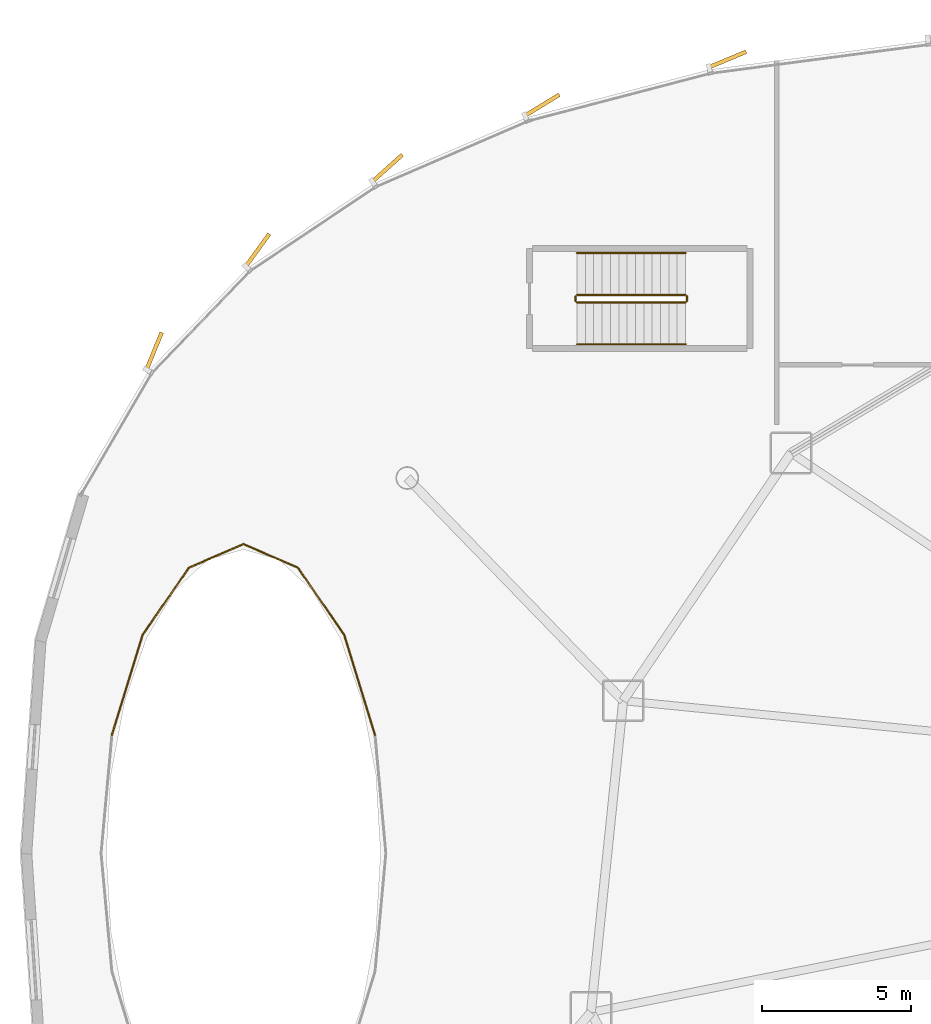
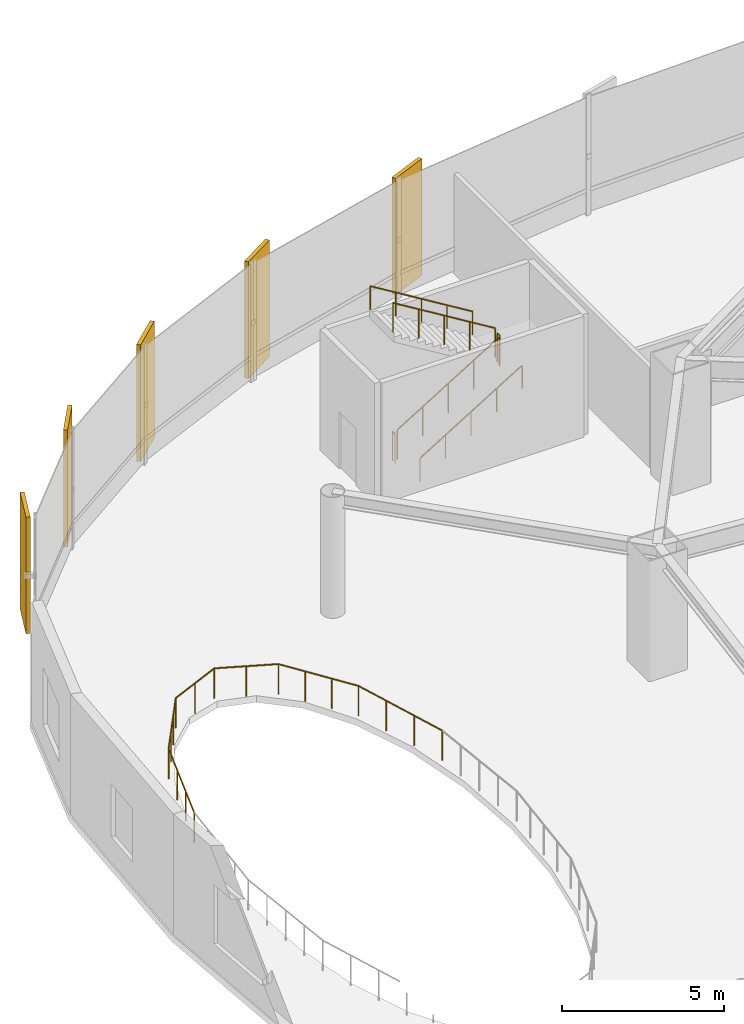
# One storey, part 32 of 34: 12 railings, 5 coverings.
"""IFC4 building model written with IfcOpenShell, lengths in metres."""

from ifc_helpers import new_model, si_unit, direction, frame, origin, origin_2d, place, context, subcontext, project, spatial, rectangle, circle, extrude, source, transform, mapped, material, layer, layer_set, type_object, element, save


model = new_model("IFC4")

# Units and contexts
model_context = context("Model", 3, precision=1e-05, world=origin(), true_north=direction((0.0, 1.0)))
body_context = subcontext(model_context, "Body", "Model", "MODEL_VIEW")
ifc_project = project(units=[si_unit("LENGTHUNIT", "METRE"), si_unit("AREAUNIT", "SQUARE_METRE"), si_unit("VOLUMEUNIT", "CUBIC_METRE"), si_unit("PLANEANGLEUNIT", "RADIAN"), si_unit("MASSUNIT", "GRAM", prefix="KILO"), si_unit("THERMODYNAMICTEMPERATUREUNIT", "KELVIN")], contexts=[model_context])

# Site, building, storey
site_placement = place(None, origin())
site = spatial("IfcSite", under=ifc_project, at=site_placement, CompositionType="ELEMENT")
building_placement = place(site_placement, origin())
building = spatial("IfcBuilding", under=site, at=building_placement, Name="Kethvar Cultural Tower", CompositionType="ELEMENT")
storey_placement = place(building_placement, frame((0.0, 0.0, 5.199951171875)))
storey = spatial("IfcBuildingStorey", under=building, at=storey_placement, Name="L01", CompositionType="ELEMENT", Elevation=5.199951171875)

# Railings
ifc_material_1 = material(Name="Steel S355J2", Category="steel")
railing_type_1 = type_object("IfcRailingType", Name="RL-INT-ATRIUM-1150", PredefinedType="BALUSTRADE", material=ifc_material_1)
railing_1_placement = place(storey_placement, frame((12.716064453125, 31.772216796875, 0.0)))
element("IfcRailing", 1, at=railing_1_placement, inside=storey, type_object=railing_type_1, Name="L01 Atrium Void Balustrade 02", PredefinedType="BALUSTRADE", context=body_context, shape_type="SweptSolid", body=[
    extrude(circle(Radius=0.02392578125, at=origin_2d()), frame((0.0, 0.0, 1.1259765625), z_axis=(-0.294066372694, 0.955785001164, 0.0), x_axis=(-0.955785001164, -0.294066372694, 0.0)), (0.0, 0.0, 1.0), 3.5234375),
    extrude(circle(Radius=0.02099609375, at=origin_2d()), origin(), (0.0, 0.0, 1.0), 1.101806640625),
    extrude(circle(Radius=0.02099609375, at=origin_2d()), frame((-0.345458984375, 1.12255859375, 0.0)), (0.0, 0.0, 1.0), 1.101806640625),
    extrude(circle(Radius=0.02099609375, at=origin_2d()), frame((-0.690673828125, 2.2451171875, 0.0)), (0.0, 0.0, 1.0), 1.101806640625),
    extrude(circle(Radius=0.02099609375, at=origin_2d()), frame((-1.0361328125, 3.36767578125, 0.0)), (0.0, 0.0, 1.0), 1.101806640625),
])
railing_2_placement = place(storey_placement, frame((11.679931640625, 35.139892578125, 0.0)))
element("IfcRailing", 2, at=railing_2_placement, inside=storey, type_object=railing_type_1, Name="L01 Atrium Void Balustrade 03", PredefinedType="BALUSTRADE", context=body_context, shape_type="SweptSolid", body=[
    extrude(circle(Radius=0.02392578125, at=origin_2d()), frame((0.0, 0.0, 1.1259765625), z_axis=(-0.567499103601, 0.823374014293, 0.0), x_axis=(-0.823374014293, -0.567499103601, 0.0)), (0.0, 0.0, 1.0), 2.732666015625),
    extrude(circle(Radius=0.02099609375, at=origin_2d()), origin(), (0.0, 0.0, 1.0), 1.101806640625),
    extrude(circle(Radius=0.02099609375, at=origin_2d()), frame((-0.516845703125, 0.75, 0.0)), (0.0, 0.0, 1.0), 1.101806640625),
    extrude(circle(Radius=0.02099609375, at=origin_2d()), frame((-1.033935546875, 1.5, 0.0)), (0.0, 0.0, 1.0), 1.101806640625),
    extrude(circle(Radius=0.02099609375, at=origin_2d()), frame((-1.55078125, 2.25, 0.0)), (0.0, 0.0, 1.0), 1.101806640625),
])
railing_3_placement = place(storey_placement, frame((10.129150390625, 37.389892578125, 0.0)))
element("IfcRailing", 3, at=railing_3_placement, inside=storey, type_object=railing_type_1, Name="L01 Atrium Void Balustrade 04", PredefinedType="BALUSTRADE", context=body_context, shape_type="SweptSolid", body=[
    extrude(circle(Radius=0.02392578125, at=origin_2d()), frame((0.0, 0.0, 1.1259765625), z_axis=(-0.918025861463, 0.396520513574, 0.0), x_axis=(-0.396520513574, -0.918025861463, 0.0)), (0.0, 0.0, 1.0), 1.992431640625),
    extrude(circle(Radius=0.02099609375, at=origin_2d()), origin(), (0.0, 0.0, 1.0), 1.101806640625),
    extrude(circle(Radius=0.02099609375, at=origin_2d()), frame((-0.91455078125, 0.39501953125, 0.0)), (0.0, 0.0, 1.0), 1.101806640625),
    extrude(circle(Radius=0.02099609375, at=origin_2d()), frame((-1.8291015625, 0.7900390625, 0.0)), (0.0, 0.0, 1.0), 1.101806640625),
])
railing_4_placement = place(storey_placement, frame((8.300048828125, 38.179931640625, 0.0)))
element("IfcRailing", 4, at=railing_4_placement, inside=storey, type_object=railing_type_1, Name="L01 Atrium Void Balustrade 05", PredefinedType="BALUSTRADE", context=body_context, shape_type="SweptSolid", body=[
    extrude(circle(Radius=0.02392578125, at=origin_2d()), frame((0.0, 0.0, 1.1259765625), z_axis=(-0.918045124076, -0.396475913721, 0.0), x_axis=(0.396475913721, -0.918045124076, 0.0)), (0.0, 0.0, 1.0), 1.99267578125),
    extrude(circle(Radius=0.02099609375, at=origin_2d()), origin(), (0.0, 0.0, 1.0), 1.101806640625),
    extrude(circle(Radius=0.02099609375, at=origin_2d()), frame((-0.91455078125, -0.39501953125, 0.0)), (0.0, 0.0, 1.0), 1.101806640625),
    extrude(circle(Radius=0.02099609375, at=origin_2d()), frame((-1.829345703125, -0.7900390625, 0.0)), (0.0, 0.0, 1.0), 1.101806640625),
])
railing_5_placement = place(storey_placement, frame((6.470703125, 37.389892578125, 0.0)))
element("IfcRailing", 5, at=railing_5_placement, inside=storey, type_object=railing_type_1, Name="L01 Atrium Void Balustrade 06", PredefinedType="BALUSTRADE", context=body_context, shape_type="SweptSolid", body=[
    extrude(circle(Radius=0.02392578125, at=origin_2d()), frame((0.0, 0.0, 1.1259765625), z_axis=(-0.567499103601, -0.823374014293, 0.0), x_axis=(0.823374014293, -0.567499103601, 0.0)), (0.0, 0.0, 1.0), 2.732666015625),
    extrude(circle(Radius=0.02099609375, at=origin_2d()), origin(), (0.0, 0.0, 1.0), 1.101806640625),
    extrude(circle(Radius=0.02099609375, at=origin_2d()), frame((-0.516845703125, -0.75, 0.0)), (0.0, 0.0, 1.0), 1.101806640625),
    extrude(circle(Radius=0.02099609375, at=origin_2d()), frame((-1.033935546875, -1.5, 0.0)), (0.0, 0.0, 1.0), 1.101806640625),
    extrude(circle(Radius=0.02099609375, at=origin_2d()), frame((-1.55078125, -2.25, 0.0)), (0.0, 0.0, 1.0), 1.101806640625),
])
railing_6_placement = place(storey_placement, frame((4.919921875, 35.139892578125, 0.0)))
element("IfcRailing", 6, at=railing_6_placement, inside=storey, type_object=railing_type_1, Name="L01 Atrium Void Balustrade 07", PredefinedType="BALUSTRADE", context=body_context, shape_type="SweptSolid", body=[
    extrude(circle(Radius=0.02392578125, at=origin_2d()), frame((0.0, 0.0, 1.1259765625), z_axis=(-0.294066372694, -0.955785001164, 0.0), x_axis=(0.955785001164, -0.294066372694, 0.0)), (0.0, 0.0, 1.0), 3.5234375),
    extrude(circle(Radius=0.02099609375, at=origin_2d()), origin(), (0.0, 0.0, 1.0), 1.101806640625),
    extrude(circle(Radius=0.02099609375, at=origin_2d()), frame((-0.345458984375, -1.12255859375, 0.0)), (0.0, 0.0, 1.0), 1.101806640625),
    extrude(circle(Radius=0.02099609375, at=origin_2d()), frame((-0.690673828125, -2.2451171875, 0.0)), (0.0, 0.0, 1.0), 1.101806640625),
    extrude(circle(Radius=0.02099609375, at=origin_2d()), frame((-1.0361328125, -3.36767578125, 0.0)), (0.0, 0.0, 1.0), 1.101806640625),
])
railing_type_2 = type_object("IfcRailingType", Name="RL-STAIR-GUARD", PredefinedType="BALUSTRADE", material=ifc_material_1)
railing_7_placement = place(storey_placement, frame((19.5, 46.2900390625, 0.17138671875)))
element("IfcRailing", 7, at=railing_7_placement, inside=storey, type_object=railing_type_2, Name="L01 ST-05 stair guard 1", PredefinedType="BALUSTRADE", context=body_context, shape_type="SweptSolid", body=[
    extrude(circle(Radius=0.02392578125, at=origin_2d()), frame((0.0, 0.0, 1.09619140625), z_axis=(0.852824790078, 0.0, 0.522197163366), x_axis=(0.0, 1.0, 0.0)), (0.0, 0.0, 1.0), 4.26806640625),
    extrude(circle(Radius=0.02099609375, at=origin_2d()), origin(), (0.0, 0.0, 1.0), 1.072021484375),
    extrude(circle(Radius=0.02099609375, at=origin_2d()), frame((0.909912109375, 0.0, 0.55712890625)), (0.0, 0.0, 1.0), 1.072021484375),
    extrude(circle(Radius=0.02099609375, at=origin_2d()), frame((1.81982421875, 0.0, 1.1142578125)), (0.0, 0.0, 1.0), 1.072021484375),
    extrude(circle(Radius=0.02099609375, at=origin_2d()), frame((2.72998046875, 0.0, 1.671630859375)), (0.0, 0.0, 1.0), 1.072021484375),
    extrude(circle(Radius=0.02099609375, at=origin_2d()), frame((3.639892578125, 0.0, 2.228759765625)), (0.0, 0.0, 1.0), 1.072021484375),
])
railing_8_placement = place(storey_placement, frame((23.18994140625, 46.340087890625, 2.400146484375)))
element("IfcRailing", 8, at=railing_8_placement, inside=storey, type_object=railing_type_2, Name="L01 ST-05 stair guard 2", PredefinedType="BALUSTRADE", context=body_context, shape_type="SweptSolid", body=[
    extrude(circle(Radius=0.02392578125, at=origin_2d()), frame((0.0, 0.0, 1.09619140625), z_axis=(0.0, 1.0, 0.0), x_axis=(-1.0, 0.0, 0.0)), (0.0, 0.0, 1.0), 0.159912109375),
    extrude(circle(Radius=0.02099609375, at=origin_2d()), origin(), (0.0, 0.0, 1.0), 1.072021484375),
    extrude(circle(Radius=0.02099609375, at=origin_2d()), frame((0.0, 0.159912109375, 0.0)), (0.0, 0.0, 1.0), 1.072021484375),
])
railing_9_placement = place(storey_placement, frame((23.139892578125, 46.550048828125, 2.571533203125)))
element("IfcRailing", 9, at=railing_9_placement, inside=storey, type_object=railing_type_2, Name="L01 ST-05 stair guard 3", PredefinedType="BALUSTRADE", context=body_context, shape_type="SweptSolid", body=[
    extrude(circle(Radius=0.02392578125, at=origin_2d()), frame((0.0, 0.0, 1.09619140625), z_axis=(-0.852850264322, 0.0, 0.5221555579), x_axis=(0.0, -1.0, 0.0)), (0.0, 0.0, 1.0), 4.267822265625),
    extrude(circle(Radius=0.02099609375, at=origin_2d()), origin(), (0.0, 0.0, 1.0), 1.072021484375),
    extrude(circle(Radius=0.02099609375, at=origin_2d()), frame((-0.909912109375, 0.0, 0.55712890625)), (0.0, 0.0, 1.0), 1.072021484375),
    extrude(circle(Radius=0.02099609375, at=origin_2d()), frame((-1.81982421875, 0.0, 1.1142578125)), (0.0, 0.0, 1.0), 1.072021484375),
    extrude(circle(Radius=0.02099609375, at=origin_2d()), frame((-2.72998046875, 0.0, 1.67138671875)), (0.0, 0.0, 1.0), 1.072021484375),
    extrude(circle(Radius=0.02099609375, at=origin_2d()), frame((-3.639892578125, 0.0, 2.228515625)), (0.0, 0.0, 1.0), 1.072021484375),
])
railing_10_placement = place(storey_placement, frame((19.449951171875, 46.340087890625, 0.0)))
element("IfcRailing", 10, at=railing_10_placement, inside=storey, type_object=railing_type_2, Name="L01 ST-05 stair guard 4", PredefinedType="BALUSTRADE", context=body_context, shape_type="SweptSolid", body=[
    extrude(circle(Radius=0.02392578125, at=origin_2d()), frame((0.0, 0.0, 1.09619140625), z_axis=(0.0, 1.0, 0.0), x_axis=(-1.0, 0.0, 0.0)), (0.0, 0.0, 1.0), 0.159912109375),
    extrude(circle(Radius=0.02099609375, at=origin_2d()), origin(), (0.0, 0.0, 1.0), 1.072021484375),
    extrude(circle(Radius=0.02099609375, at=origin_2d()), frame((0.0, 0.159912109375, 0.0)), (0.0, 0.0, 1.0), 1.072021484375),
])
railing_type_3 = type_object("IfcRailingType", Name="RL-STAIR-HANDRAIL", PredefinedType="HANDRAIL", material=ifc_material_1)
railing_11_placement = place(storey_placement, frame((19.5, 44.889892578125, 0.17138671875)))
element("IfcRailing", 11, at=railing_11_placement, inside=storey, type_object=railing_type_3, Name="L01 ST-05 stair handrail 1", PredefinedType="HANDRAIL", context=body_context, shape_type="SweptSolid", body=[
    extrude(circle(Radius=0.02392578125, at=origin_2d()), frame((0.0, 0.0, 0.8759765625), z_axis=(0.852824790078, 0.0, 0.522197163366), x_axis=(0.0, 1.0, 0.0)), (0.0, 0.0, 1.0), 4.26806640625),
    extrude(circle(Radius=0.02099609375, at=origin_2d()), origin(), (0.0, 0.0, 1.0), 0.851806640625),
    extrude(circle(Radius=0.02099609375, at=origin_2d()), frame((0.909912109375, 0.0, 0.55712890625)), (0.0, 0.0, 1.0), 0.851806640625),
    extrude(circle(Radius=0.02099609375, at=origin_2d()), frame((1.81982421875, 0.0, 1.1142578125)), (0.0, 0.0, 1.0), 0.851806640625),
    extrude(circle(Radius=0.02099609375, at=origin_2d()), frame((2.72998046875, 0.0, 1.671630859375)), (0.0, 0.0, 1.0), 0.851806640625),
    extrude(circle(Radius=0.02099609375, at=origin_2d()), frame((3.639892578125, 0.0, 2.228759765625)), (0.0, 0.0, 1.0), 0.851806640625),
])
railing_12_placement = place(storey_placement, frame((23.139892578125, 47.949951171875, 2.571533203125)))
element("IfcRailing", 12, at=railing_12_placement, inside=storey, type_object=railing_type_3, Name="L01 ST-05 stair handrail 2", PredefinedType="HANDRAIL", context=body_context, shape_type="SweptSolid", body=[
    extrude(circle(Radius=0.02392578125, at=origin_2d()), frame((0.0, 0.0, 0.8759765625), z_axis=(-0.852850264322, 0.0, 0.5221555579), x_axis=(0.0, -1.0, 0.0)), (0.0, 0.0, 1.0), 4.267822265625),
    extrude(circle(Radius=0.02099609375, at=origin_2d()), origin(), (0.0, 0.0, 1.0), 0.851806640625),
    extrude(circle(Radius=0.02099609375, at=origin_2d()), frame((-0.909912109375, 0.0, 0.55712890625)), (0.0, 0.0, 1.0), 0.851806640625),
    extrude(circle(Radius=0.02099609375, at=origin_2d()), frame((-1.81982421875, 0.0, 1.1142578125)), (0.0, 0.0, 1.0), 0.851806640625),
    extrude(circle(Radius=0.02099609375, at=origin_2d()), frame((-2.72998046875, 0.0, 1.67138671875)), (0.0, 0.0, 1.0), 0.851806640625),
    extrude(circle(Radius=0.02099609375, at=origin_2d()), frame((-3.639892578125, 0.0, 2.228515625)), (0.0, 0.0, 1.0), 0.851806640625),
])

# Coverings
ifc_material_2 = material(Name="Extruded Architectural Terracotta", Category="masonry")
ifc_layer = layer(ifc_material_2, 0.135009765625, Name="Extruded Architectural Terracotta", Category="masonry")
ifc_layer_set = layer_set([ifc_layer], Name="Extruded Architectural Terracotta (135 mm)")
covering_type = type_object("IfcCoveringType", Name="Terracotta Facade Fin FIN-04", PredefinedType="CLADDING", material=ifc_layer_set)
shared_shape = source(origin(), body_context, "Body", "SweptSolid", [
    extrude(rectangle(XDim=1.35009765625, YDim=0.135009765625, at=origin_2d()), origin(), (0.0, 0.0, 1.0), 4.39990234375),
])
for number, where, z_axis, x_axis, name in (
    (13, (24.552734375, 54.447998046875, 0.02001953125), (0.0, 0.0, 1.0), (0.922807277859, 0.385261895248, 0.0), "L01 Vertical Terracotta Fin 2.6"),
    (14, (18.32666015625, 52.914306640625, 0.02001953125), (0.0, 0.0, 1.0), (0.854005138885, 0.520264569962, 0.0), "L01 Vertical Terracotta Fin 3.1"),
    (15, (13.13232421875, 50.800537109375, 0.02001953125), (0.0, 0.0, 1.0), (0.745243290547, 0.66679264985, 0.0), "L01 Vertical Terracotta Fin 3.2"),
    (16, (8.775146484375, 48.048095703125, 0.02001953125), (0.0, 0.0, 1.0), (0.586372356736, 0.810041640446, 0.0), "L01 Vertical Terracotta Fin 3.3"),
    (17, (5.3017578125, 44.658935546875, 0.02001953125), (0.0, 0.0, 1.0), (0.378325519707, 0.925672620929, 0.0), "L01 Vertical Terracotta Fin 3.4"),
):
    element("IfcCovering", number, at=place(storey_placement, frame(where, z_axis=z_axis, x_axis=x_axis)), inside=storey, type_object=covering_type, Name=name, PredefinedType="CLADDING", context=body_context, shape_type="MappedRepresentation", body=[
        mapped(shared_shape, transform((0.0, 0.0, 0.0), scale=1.0)),
    ])

save(model, "model.ifc")
